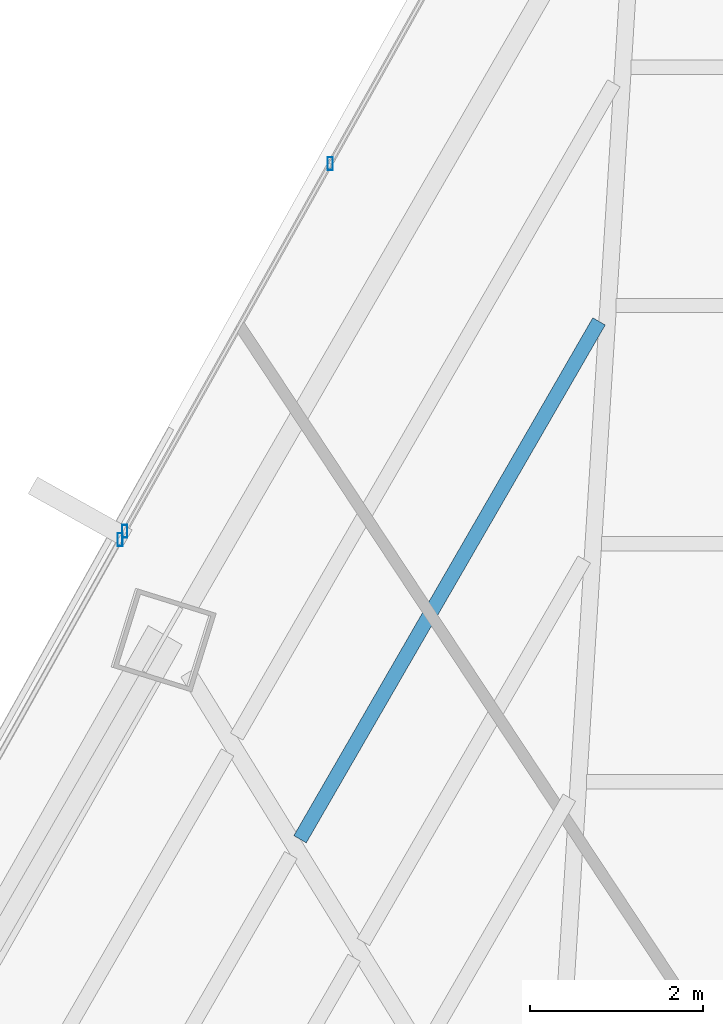
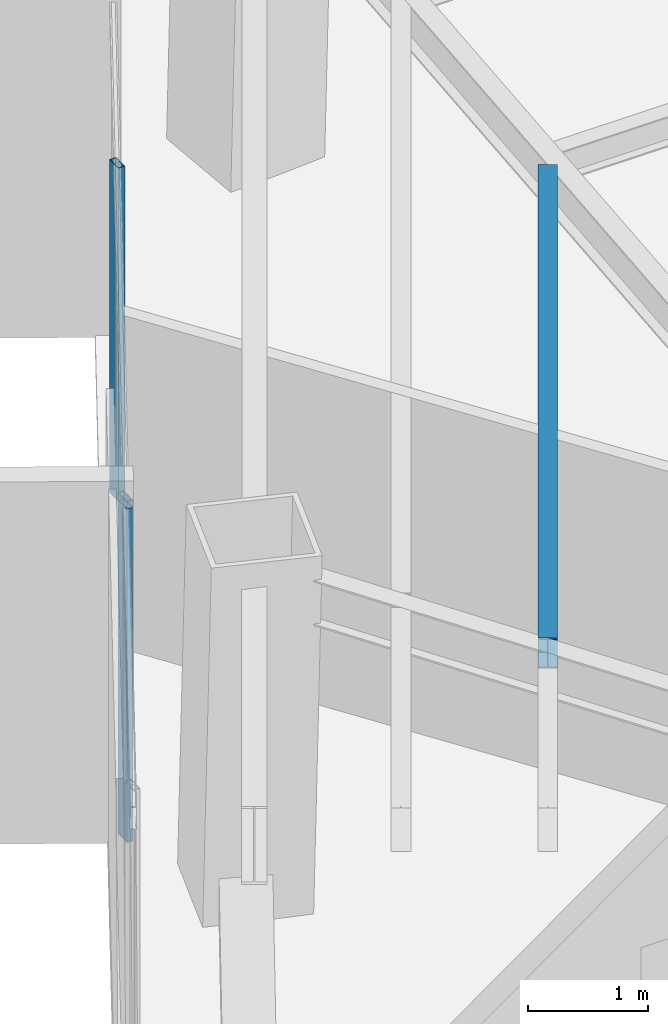
# One storey, part 26 of 39: 3 members, 1 beam, 2 elements without a shape of their own.
"""IFC4 building model written with IfcOpenShell, lengths in metres."""

from ifc_helpers import new_model, si_unit, direction, frame, origin, origin_2d, place, context, subcontext, project, spatial, hollow_rectangle, i_section, extrude, source, transform, mapped, material, material_profile, profile_set, type_object, type_shapes, element, aggregate, save


model = new_model("IFC4")

# Units and contexts
model_context = context("Model", 3, precision=1e-05, world=origin(), true_north=direction((0.0, 1.0)))
body_context = subcontext(model_context, "Body", "Model", "MODEL_VIEW")
ifc_project = project(units=[si_unit("LENGTHUNIT", "METRE"), si_unit("AREAUNIT", "SQUARE_METRE"), si_unit("VOLUMEUNIT", "CUBIC_METRE"), si_unit("PLANEANGLEUNIT", "RADIAN"), si_unit("MASSUNIT", "GRAM", prefix="KILO")], contexts=[model_context])

# Site, building, storey
site_placement = place(None, origin())
site = spatial("IfcSite", under=ifc_project, at=site_placement, CompositionType="ELEMENT")
building_placement = place(site_placement, origin())
building = spatial("IfcBuilding", under=site, at=building_placement, Name="Caelisora Broadcast Tower", CompositionType="ELEMENT")
storey_placement = place(building_placement, frame((0.0, 0.0, 142.75)))
storey = spatial("IfcBuildingStorey", under=building, at=storey_placement, Name="L37", CompositionType="ELEMENT", Elevation=142.75)

# Beam
ifc_material_1 = material(Name="Steel Grade 350 (AS/NZS 3679.1)", Category="steel")
ifc_material_profile_1 = material_profile(ifc_material_1, i_section(OverallWidth=0.166015625, OverallDepth=0.30712890625, WebThickness=0.006591796875, FlangeThickness=0.01171875, at=origin_2d()), Name="Steel Grade 350 (AS/NZS 3679.1)")
ifc_profile_set_1 = profile_set([ifc_material_profile_1], Name="Steel Grade 350 (AS/NZS 3679.1)")
beam_type = type_object("IfcBeamType", Name="SB03", PredefinedType="JOIST", material=ifc_profile_set_1)
shared_shape_1 = source(origin(), body_context, "Body", "SweptSolid", [
    extrude(i_section(OverallWidth=0.166015625, OverallDepth=0.30712890625, WebThickness=0.006591796875, FlangeThickness=0.01171875, at=origin_2d()), origin(), (0.0, 0.0, 1.0), 6.8974609375),
])
type_shapes(beam_type, [shared_shape_1])
beam_placement = place(storey_placement, frame((31.07861328125, 40.80419921875, 3.246337890625), z_axis=(-0.499999229181, -0.866025848816, 0.0), x_axis=(0.866025848816, -0.499999229181, 0.0)))
element("IfcBeam", 1, at=beam_placement, inside=storey, type_object=beam_type, Name="L37 beam SB03", PredefinedType="JOIST", context=body_context, shape_type="MappedRepresentation", body=[
    mapped(shared_shape_1, transform((0.0, 0.0, 0.0), scale=1.0)),
])

# Curtain wall, member
ifc_material_2 = material(Name="Unitised Aluminium Insulated Shadow-Box Spandrel Curtain Wall", Category="aluminium")
curtain_wall_type_1 = type_object("IfcCurtainWallType", Name="CW-SP2", PredefinedType="NOTDEFINED", material=ifc_material_2)
curtain_wall_1_placement = place(storey_placement, origin())
curtain_wall_1 = element("IfcCurtainWall", 2, at=curtain_wall_1_placement, inside=storey, type_object=curtain_wall_type_1, Name="L37 curtain wall CW-SP2", PredefinedType="NOTDEFINED")
ifc_material_3 = material(Name="Aluminium 6063-T6 Anodised Terracotta Bronze", Category="aluminium")
ifc_material_profile_2 = material_profile(ifc_material_3, hollow_rectangle(XDim=0.06005859375, YDim=0.14990234375, WallThickness=0.00341796875, at=origin_2d()), Name="Aluminium 6063-T6 Anodised Terracotta Bronze")
ifc_profile_set_2 = profile_set([ifc_material_profile_2], Name="Aluminium 6063-T6 Anodised Terracotta Bronze")
member_type = type_object("IfcMemberType", Name="CWM-03", PredefinedType="MULLION", material=ifc_profile_set_2)
shared_shape_2 = source(origin(), body_context, "Body", "SweptSolid", [
    extrude(hollow_rectangle(XDim=0.06005859375, YDim=0.14990234375, WallThickness=0.00341796875, at=origin_2d()), origin(), (0.0, 0.0, 1.0), 3.39990234375),
])
type_shapes(member_type, [shared_shape_2])
member_1_placement = place(storey_placement, frame((25.5546875, 38.287109375, 0.0), z_axis=(0.0, 0.0, 1.0), x_axis=(1.0, 0.0, 0.0)))
member_1 = element("IfcMember", 3, at=member_1_placement, type_object=member_type, Name="L37-CW-B10 mullion #3", PredefinedType="MULLION", context=body_context, shape_type="MappedRepresentation", body=[
    mapped(shared_shape_2, transform((0.0, 0.0, 0.0), scale=1.0)),
])
aggregate(curtain_wall_1, [member_1])

# Curtain wall, members
ifc_material_4 = material(Name="Unitised Aluminium and Low-E Glass Curtain Wall", Category="glass")
curtain_wall_type_2 = type_object("IfcCurtainWallType", Name="CW-Z3", PredefinedType="NOTDEFINED", material=ifc_material_4)
curtain_wall_2_placement = place(storey_placement, origin())
curtain_wall_2 = element("IfcCurtainWall", 4, at=curtain_wall_2_placement, inside=storey, type_object=curtain_wall_type_2, Name="L37 curtain wall CW-Z3", PredefinedType="NOTDEFINED")
member_2_placement = place(storey_placement, frame((25.6083984375, 38.38330078125, 0.0), z_axis=(0.0, 0.0, 1.0), x_axis=(1.0, 0.0, 0.0)))
member_2 = element("IfcMember", 5, at=member_2_placement, type_object=member_type, Name="L37-CW-B11 mullion #0", PredefinedType="MULLION", context=body_context, shape_type="MappedRepresentation", body=[
    mapped(shared_shape_2, transform((0.0, 0.0, 0.0), scale=1.0)),
])
member_3_placement = place(storey_placement, frame((27.97802734375, 42.6240234375, 0.0), z_axis=(0.0, 0.0, 1.0), x_axis=(1.0, 0.0, 0.0)))
member_3 = element("IfcMember", 6, at=member_3_placement, type_object=member_type, Name="L37-CW-B11 mullion #1", PredefinedType="MULLION", context=body_context, shape_type="MappedRepresentation", body=[
    mapped(shared_shape_2, transform((0.0, 0.0, 0.0), scale=1.0)),
])
aggregate(curtain_wall_2, [member_2, member_3])

save(model, "model.ifc")
